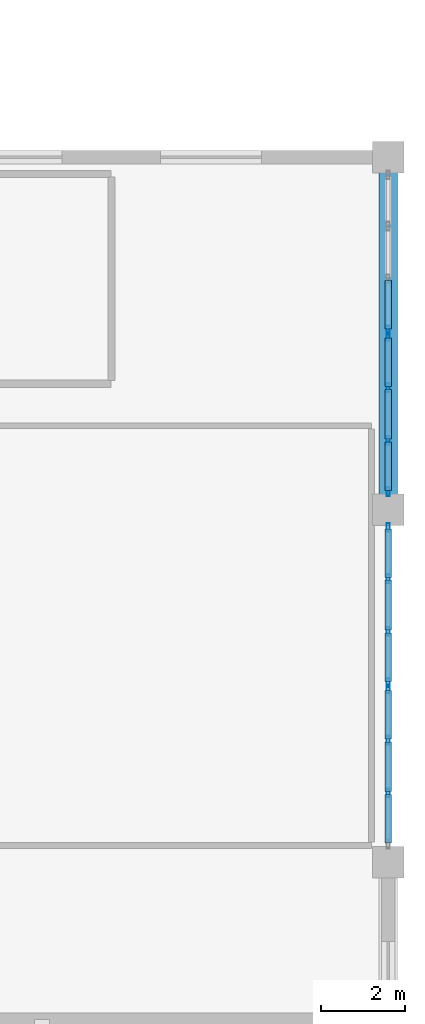
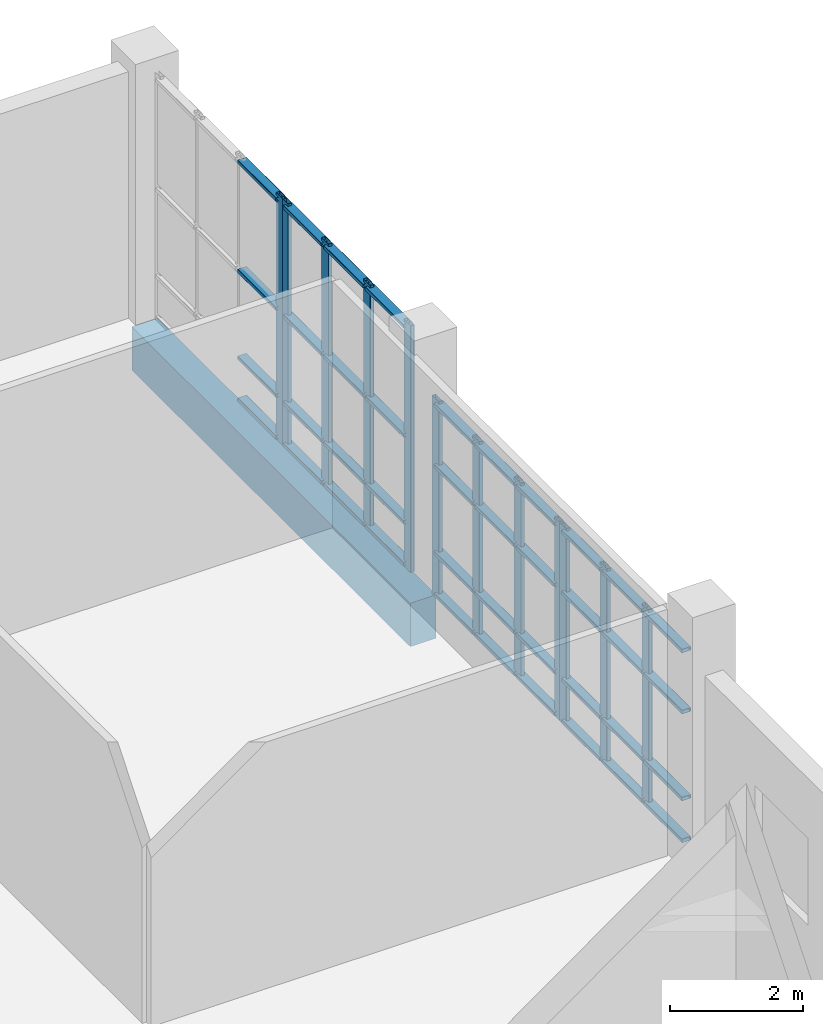
# One storey, part 52 of 106: 52 members, 1 beam, 4 elements without a shape of their own.
"""IFC4 building model written with IfcOpenShell, lengths in metres."""

from ifc_helpers import new_model, si_unit, direction, frame, origin, origin_2d, place, context, subcontext, project, spatial, rectangle, hollow_rectangle, extrude, material, layer, layer_set, material_profile, profile_set, type_object, element, aggregate, save


model = new_model("IFC4")

# Units and contexts
model_context = context("Model", 3, precision=1e-05, world=origin(), true_north=direction((0.0, 1.0)))
body_context = subcontext(model_context, "Body", "Model", "MODEL_VIEW")
ifc_project = project(units=[si_unit("LENGTHUNIT", "METRE"), si_unit("AREAUNIT", "SQUARE_METRE"), si_unit("VOLUMEUNIT", "CUBIC_METRE"), si_unit("PLANEANGLEUNIT", "RADIAN"), si_unit("MASSUNIT", "GRAM", prefix="KILO")], contexts=[model_context])

# Site, building, storey
site_placement = place(None, origin())
site = spatial("IfcSite", under=ifc_project, at=site_placement, CompositionType="ELEMENT")
building_placement = place(site_placement, origin())
building = spatial("IfcBuilding", under=site, at=building_placement, Name="Kisaragi Civic Commons", CompositionType="ELEMENT")
storey_placement = place(building_placement, frame((0.0, 0.0, 4.800048828125)))
storey = spatial("IfcBuildingStorey", under=building, at=storey_placement, Name="L01", CompositionType="ELEMENT", Elevation=4.800048828125)

# Curtain wall, member
ifc_material_1 = material(Name="Thermally broken anodized aluminium and low-E double glazing", Category="aluminium")
ifc_layer = layer(ifc_material_1, 0.2099609375, Name="Thermally broken anodized aluminium and low-E double glazing", Category="aluminium")
ifc_layer_set = layer_set([ifc_layer], Name="Thermally broken anodized aluminium and low-E double glazing")
curtain_wall_type = type_object("IfcCurtainWallType", Name="CW-02", PredefinedType="NOTDEFINED", material=ifc_layer_set)
curtain_wall_1_placement = place(storey_placement, origin())
curtain_wall_1 = element("IfcCurtainWall", 1, at=curtain_wall_1_placement, inside=storey, type_object=curtain_wall_type, Name="L01 curtain wall CW-02 CW-V3-L01-023", PredefinedType="NOTDEFINED")
ifc_material_profile_1 = material_profile(ifc_material_1, hollow_rectangle(XDim=0.070068359375, YDim=0.2099609375, WallThickness=0.0048828125, InnerFilletRadius=0.0048828125, OuterFilletRadius=0.010009765625, at=origin_2d()), Name="CWM-70x210x5", Category="aluminium")
ifc_profile_set_1 = profile_set([ifc_material_profile_1], Name="Thermally broken anodized aluminium and low-E double glazing")
member_type_1 = type_object("IfcMemberType", Name="CWM-03", PredefinedType="MULLION", material=ifc_profile_set_1)
member_1_placement = place(storey_placement, frame((172.800048828125, 21.074951171875, 0.0), z_axis=(0.0, 0.0, 1.0), x_axis=(1.0, 0.0, 0.0)))
member_1 = element("IfcMember", 2, at=member_1_placement, type_object=member_type_1, Name="CW-02 mullion 4", PredefinedType="MULLION", context=body_context, shape_type="SweptSolid", body=[
    extrude(hollow_rectangle(XDim=0.070068359375, YDim=0.2099609375, WallThickness=0.0048828125, InnerFilletRadius=0.0048828125, OuterFilletRadius=0.010009765625, at=origin_2d()), origin(), (0.0, 0.0, 1.0), 4.5400390625),
])

# Curtain wall, members
curtain_wall_2_placement = place(storey_placement, origin())
curtain_wall_2 = element("IfcCurtainWall", 3, at=curtain_wall_2_placement, inside=storey, type_object=curtain_wall_type, Name="L01 curtain wall CW-02 CW-V3-L01-024", PredefinedType="NOTDEFINED")
member_2_placement = place(storey_placement, frame((172.800048828125, 20.925048828125, 0.0), z_axis=(0.0, 0.0, 1.0), x_axis=(1.0, 0.0, 0.0)))
member_2 = element("IfcMember", 4, at=member_2_placement, type_object=member_type_1, Name="CW-02 mullion 1", PredefinedType="MULLION", context=body_context, shape_type="SweptSolid", body=[
    extrude(hollow_rectangle(XDim=0.070068359375, YDim=0.2099609375, WallThickness=0.0048828125, InnerFilletRadius=0.0048828125, OuterFilletRadius=0.010009765625, at=origin_2d()), origin(), (0.0, 0.0, 1.0), 4.5400390625),
])
member_3_placement = place(storey_placement, frame((172.800048828125, 19.703369140625, 0.0), z_axis=(0.0, 0.0, 1.0), x_axis=(1.0, 0.0, 0.0)))
member_3 = element("IfcMember", 5, at=member_3_placement, type_object=member_type_1, Name="CW-02 mullion 2", PredefinedType="MULLION", context=body_context, shape_type="SweptSolid", body=[
    extrude(hollow_rectangle(XDim=0.070068359375, YDim=0.2099609375, WallThickness=0.0048828125, InnerFilletRadius=0.0048828125, OuterFilletRadius=0.010009765625, at=origin_2d()), origin(), (0.0, 0.0, 1.0), 4.5400390625),
])
member_4_placement = place(storey_placement, frame((172.800048828125, 18.44677734375, 0.0), z_axis=(0.0, 0.0, 1.0), x_axis=(1.0, 0.0, 0.0)))
member_4 = element("IfcMember", 6, at=member_4_placement, type_object=member_type_1, Name="CW-02 mullion 3", PredefinedType="MULLION", context=body_context, shape_type="SweptSolid", body=[
    extrude(hollow_rectangle(XDim=0.070068359375, YDim=0.2099609375, WallThickness=0.0048828125, InnerFilletRadius=0.0048828125, OuterFilletRadius=0.010009765625, at=origin_2d()), origin(), (0.0, 0.0, 1.0), 4.5400390625),
])
member_5_placement = place(storey_placement, frame((172.800048828125, 17.22509765625, 0.0), z_axis=(0.0, 0.0, 1.0), x_axis=(1.0, 0.0, 0.0)))
member_5 = element("IfcMember", 7, at=member_5_placement, type_object=member_type_1, Name="CW-02 mullion 4", PredefinedType="MULLION", context=body_context, shape_type="SweptSolid", body=[
    extrude(hollow_rectangle(XDim=0.070068359375, YDim=0.2099609375, WallThickness=0.0048828125, InnerFilletRadius=0.0048828125, OuterFilletRadius=0.010009765625, at=origin_2d()), origin(), (0.0, 0.0, 1.0), 4.5400390625),
])

curtain_wall_3_placement = place(storey_placement, origin())
curtain_wall_3 = element("IfcCurtainWall", 8, at=curtain_wall_3_placement, inside=storey, type_object=curtain_wall_type, Name="L01 curtain wall CW-02 CW-V3-L01-025", PredefinedType="NOTDEFINED")
member_6_placement = place(storey_placement, frame((172.800048828125, 16.375, 0.0), z_axis=(0.0, 0.0, 1.0), x_axis=(1.0, 0.0, 0.0)))
member_6 = element("IfcMember", 9, at=member_6_placement, type_object=member_type_1, Name="CW-02 mullion 1", PredefinedType="MULLION", context=body_context, shape_type="SweptSolid", body=[
    extrude(hollow_rectangle(XDim=0.070068359375, YDim=0.2099609375, WallThickness=0.0048828125, InnerFilletRadius=0.0048828125, OuterFilletRadius=0.010009765625, at=origin_2d()), origin(), (0.0, 0.0, 1.0), 3.655029296875),
])
member_7_placement = place(storey_placement, frame((172.800048828125, 15.1533203125, 0.0), z_axis=(0.0, 0.0, 1.0), x_axis=(1.0, 0.0, 0.0)))
member_7 = element("IfcMember", 10, at=member_7_placement, type_object=member_type_1, Name="CW-02 mullion 2", PredefinedType="MULLION", context=body_context, shape_type="SweptSolid", body=[
    extrude(hollow_rectangle(XDim=0.070068359375, YDim=0.2099609375, WallThickness=0.0048828125, InnerFilletRadius=0.0048828125, OuterFilletRadius=0.010009765625, at=origin_2d()), origin(), (0.0, 0.0, 1.0), 3.655029296875),
])
member_8_placement = place(storey_placement, frame((172.800048828125, 13.896728515625, 0.0), z_axis=(0.0, 0.0, 1.0), x_axis=(1.0, 0.0, 0.0)))
member_8 = element("IfcMember", 11, at=member_8_placement, type_object=member_type_1, Name="CW-02 mullion 3", PredefinedType="MULLION", context=body_context, shape_type="SweptSolid", body=[
    extrude(hollow_rectangle(XDim=0.070068359375, YDim=0.2099609375, WallThickness=0.0048828125, InnerFilletRadius=0.0048828125, OuterFilletRadius=0.010009765625, at=origin_2d()), origin(), (0.0, 0.0, 1.0), 3.655029296875),
])
member_9_placement = place(storey_placement, frame((172.800048828125, 12.675048828125, 0.0), z_axis=(0.0, 0.0, 1.0), x_axis=(1.0, 0.0, 0.0)))
member_9 = element("IfcMember", 12, at=member_9_placement, type_object=member_type_1, Name="CW-02 mullion 4", PredefinedType="MULLION", context=body_context, shape_type="SweptSolid", body=[
    extrude(hollow_rectangle(XDim=0.070068359375, YDim=0.2099609375, WallThickness=0.0048828125, InnerFilletRadius=0.0048828125, OuterFilletRadius=0.010009765625, at=origin_2d()), origin(), (0.0, 0.0, 1.0), 3.655029296875),
])

curtain_wall_4_placement = place(storey_placement, origin())
curtain_wall_4 = element("IfcCurtainWall", 13, at=curtain_wall_4_placement, inside=storey, type_object=curtain_wall_type, Name="L01 curtain wall CW-02 CW-V3-L01-026", PredefinedType="NOTDEFINED")
member_10_placement = place(storey_placement, frame((172.800048828125, 12.52490234375, 0.0), z_axis=(0.0, 0.0, 1.0), x_axis=(1.0, 0.0, 0.0)))
member_10 = element("IfcMember", 14, at=member_10_placement, type_object=member_type_1, Name="CW-02 mullion 1", PredefinedType="MULLION", context=body_context, shape_type="SweptSolid", body=[
    extrude(hollow_rectangle(XDim=0.070068359375, YDim=0.2099609375, WallThickness=0.0048828125, InnerFilletRadius=0.0048828125, OuterFilletRadius=0.010009765625, at=origin_2d()), origin(), (0.0, 0.0, 1.0), 3.655029296875),
])
member_11_placement = place(storey_placement, frame((172.800048828125, 11.30322265625, 0.0), z_axis=(0.0, 0.0, 1.0), x_axis=(1.0, 0.0, 0.0)))
member_11 = element("IfcMember", 15, at=member_11_placement, type_object=member_type_1, Name="CW-02 mullion 2", PredefinedType="MULLION", context=body_context, shape_type="SweptSolid", body=[
    extrude(hollow_rectangle(XDim=0.070068359375, YDim=0.2099609375, WallThickness=0.0048828125, InnerFilletRadius=0.0048828125, OuterFilletRadius=0.010009765625, at=origin_2d()), origin(), (0.0, 0.0, 1.0), 3.655029296875),
])
member_12_placement = place(storey_placement, frame((172.800048828125, 10.046630859375, 0.0), z_axis=(0.0, 0.0, 1.0), x_axis=(1.0, 0.0, 0.0)))
member_12 = element("IfcMember", 16, at=member_12_placement, type_object=member_type_1, Name="CW-02 mullion 3", PredefinedType="MULLION", context=body_context, shape_type="SweptSolid", body=[
    extrude(hollow_rectangle(XDim=0.070068359375, YDim=0.2099609375, WallThickness=0.0048828125, InnerFilletRadius=0.0048828125, OuterFilletRadius=0.010009765625, at=origin_2d()), origin(), (0.0, 0.0, 1.0), 3.655029296875),
])

# Member
ifc_material_profile_2 = material_profile(ifc_material_1, hollow_rectangle(XDim=0.159912109375, YDim=0.070068359375, WallThickness=0.0048828125, InnerFilletRadius=0.0048828125, OuterFilletRadius=0.010009765625, at=origin_2d()), Name="CWT-70x160x5", Category="aluminium")
ifc_profile_set_2 = profile_set([ifc_material_profile_2], Name="Thermally broken anodized aluminium and low-E double glazing")
member_type_2 = type_object("IfcMemberType", Name="CWT-03", PredefinedType="USERDEFINED", material=ifc_profile_set_2)
member_13_placement = place(storey_placement, frame((172.800048828125, 22.26171875, 0.079833984375), z_axis=(0.0, -1.0, 0.0), x_axis=(1.0, 0.0, 0.0)))
member_13 = element("IfcMember", 17, at=member_13_placement, type_object=member_type_2, Name="CW-02 transom 3.1", ObjectType="TRANSOM", PredefinedType="USERDEFINED", context=body_context, shape_type="SweptSolid", body=[
    extrude(hollow_rectangle(XDim=0.159912109375, YDim=0.070068359375, WallThickness=0.0048828125, InnerFilletRadius=0.0048828125, OuterFilletRadius=0.010009765625, at=origin_2d()), origin(), (0.0, 0.0, 1.0), 1.151611328125),
])

member_14_placement = place(storey_placement, frame((172.800048828125, 22.26171875, 0.849853515625), z_axis=(0.0, -1.0, 0.0), x_axis=(1.0, 0.0, 0.0)))
member_14 = element("IfcMember", 18, at=member_14_placement, type_object=member_type_2, Name="CW-02 transom 3.2", ObjectType="TRANSOM", PredefinedType="USERDEFINED", context=body_context, shape_type="SweptSolid", body=[
    extrude(hollow_rectangle(XDim=0.159912109375, YDim=0.070068359375, WallThickness=0.0048828125, InnerFilletRadius=0.0048828125, OuterFilletRadius=0.010009765625, at=origin_2d()), origin(), (0.0, 0.0, 1.0), 1.151611328125),
])

member_15_placement = place(storey_placement, frame((172.800048828125, 22.26171875, 2.449951171875), z_axis=(0.0, -1.0, 0.0), x_axis=(1.0, 0.0, 0.0)))
member_15 = element("IfcMember", 19, at=member_15_placement, type_object=member_type_2, Name="CW-02 transom 3.3", ObjectType="TRANSOM", PredefinedType="USERDEFINED", context=body_context, shape_type="SweptSolid", body=[
    extrude(hollow_rectangle(XDim=0.159912109375, YDim=0.070068359375, WallThickness=0.0048828125, InnerFilletRadius=0.0048828125, OuterFilletRadius=0.010009765625, at=origin_2d()), origin(), (0.0, 0.0, 1.0), 1.151611328125),
])

member_16_placement = place(storey_placement, frame((172.800048828125, 22.26171875, 4.4599609375), z_axis=(0.0, -1.0, 0.0), x_axis=(1.0, 0.0, 0.0)))
member_16 = element("IfcMember", 20, at=member_16_placement, type_object=member_type_2, Name="CW-02 transom 3.4", ObjectType="TRANSOM", PredefinedType="USERDEFINED", context=body_context, shape_type="SweptSolid", body=[
    extrude(hollow_rectangle(XDim=0.159912109375, YDim=0.070068359375, WallThickness=0.0048828125, InnerFilletRadius=0.0048828125, OuterFilletRadius=0.010009765625, at=origin_2d()), origin(), (0.0, 0.0, 1.0), 1.151611328125),
])

aggregate(curtain_wall_1, [member_1, member_13, member_14, member_15, member_16])

member_17_placement = place(storey_placement, frame((172.800048828125, 20.889892578125, 0.079833984375), z_axis=(0.0, -1.0, 0.0), x_axis=(1.0, 0.0, 0.0)))
member_17 = element("IfcMember", 21, at=member_17_placement, type_object=member_type_2, Name="CW-02 transom 1.1", ObjectType="TRANSOM", PredefinedType="USERDEFINED", context=body_context, shape_type="SweptSolid", body=[
    extrude(hollow_rectangle(XDim=0.159912109375, YDim=0.070068359375, WallThickness=0.0048828125, InnerFilletRadius=0.0048828125, OuterFilletRadius=0.010009765625, at=origin_2d()), origin(), (0.0, 0.0, 1.0), 1.151611328125),
])

member_18_placement = place(storey_placement, frame((172.800048828125, 20.889892578125, 0.849853515625), z_axis=(0.0, -1.0, 0.0), x_axis=(1.0, 0.0, 0.0)))
member_18 = element("IfcMember", 22, at=member_18_placement, type_object=member_type_2, Name="CW-02 transom 1.2", ObjectType="TRANSOM", PredefinedType="USERDEFINED", context=body_context, shape_type="SweptSolid", body=[
    extrude(hollow_rectangle(XDim=0.159912109375, YDim=0.070068359375, WallThickness=0.0048828125, InnerFilletRadius=0.0048828125, OuterFilletRadius=0.010009765625, at=origin_2d()), origin(), (0.0, 0.0, 1.0), 1.151611328125),
])

member_19_placement = place(storey_placement, frame((172.800048828125, 20.889892578125, 2.449951171875), z_axis=(0.0, -1.0, 0.0), x_axis=(1.0, 0.0, 0.0)))
member_19 = element("IfcMember", 23, at=member_19_placement, type_object=member_type_2, Name="CW-02 transom 1.3", ObjectType="TRANSOM", PredefinedType="USERDEFINED", context=body_context, shape_type="SweptSolid", body=[
    extrude(hollow_rectangle(XDim=0.159912109375, YDim=0.070068359375, WallThickness=0.0048828125, InnerFilletRadius=0.0048828125, OuterFilletRadius=0.010009765625, at=origin_2d()), origin(), (0.0, 0.0, 1.0), 1.151611328125),
])

member_20_placement = place(storey_placement, frame((172.800048828125, 20.889892578125, 4.4599609375), z_axis=(0.0, -1.0, 0.0), x_axis=(1.0, 0.0, 0.0)))
member_20 = element("IfcMember", 24, at=member_20_placement, type_object=member_type_2, Name="CW-02 transom 1.4", ObjectType="TRANSOM", PredefinedType="USERDEFINED", context=body_context, shape_type="SweptSolid", body=[
    extrude(hollow_rectangle(XDim=0.159912109375, YDim=0.070068359375, WallThickness=0.0048828125, InnerFilletRadius=0.0048828125, OuterFilletRadius=0.010009765625, at=origin_2d()), origin(), (0.0, 0.0, 1.0), 1.151611328125),
])

member_21_placement = place(storey_placement, frame((172.800048828125, 19.668212890625, 0.079833984375), z_axis=(0.0, -1.0, 0.0), x_axis=(1.0, 0.0, 0.0)))
member_21 = element("IfcMember", 25, at=member_21_placement, type_object=member_type_2, Name="CW-02 transom 2.1", ObjectType="TRANSOM", PredefinedType="USERDEFINED", context=body_context, shape_type="SweptSolid", body=[
    extrude(hollow_rectangle(XDim=0.159912109375, YDim=0.070068359375, WallThickness=0.0048828125, InnerFilletRadius=0.0048828125, OuterFilletRadius=0.010009765625, at=origin_2d()), origin(), (0.0, 0.0, 1.0), 1.1865234375),
])

member_22_placement = place(storey_placement, frame((172.800048828125, 19.668212890625, 0.849853515625), z_axis=(0.0, -1.0, 0.0), x_axis=(1.0, 0.0, 0.0)))
member_22 = element("IfcMember", 26, at=member_22_placement, type_object=member_type_2, Name="CW-02 transom 2.2", ObjectType="TRANSOM", PredefinedType="USERDEFINED", context=body_context, shape_type="SweptSolid", body=[
    extrude(hollow_rectangle(XDim=0.159912109375, YDim=0.070068359375, WallThickness=0.0048828125, InnerFilletRadius=0.0048828125, OuterFilletRadius=0.010009765625, at=origin_2d()), origin(), (0.0, 0.0, 1.0), 1.1865234375),
])

member_23_placement = place(storey_placement, frame((172.800048828125, 19.668212890625, 2.449951171875), z_axis=(0.0, -1.0, 0.0), x_axis=(1.0, 0.0, 0.0)))
member_23 = element("IfcMember", 27, at=member_23_placement, type_object=member_type_2, Name="CW-02 transom 2.3", ObjectType="TRANSOM", PredefinedType="USERDEFINED", context=body_context, shape_type="SweptSolid", body=[
    extrude(hollow_rectangle(XDim=0.159912109375, YDim=0.070068359375, WallThickness=0.0048828125, InnerFilletRadius=0.0048828125, OuterFilletRadius=0.010009765625, at=origin_2d()), origin(), (0.0, 0.0, 1.0), 1.1865234375),
])

member_24_placement = place(storey_placement, frame((172.800048828125, 19.668212890625, 4.4599609375), z_axis=(0.0, -1.0, 0.0), x_axis=(1.0, 0.0, 0.0)))
member_24 = element("IfcMember", 28, at=member_24_placement, type_object=member_type_2, Name="CW-02 transom 2.4", ObjectType="TRANSOM", PredefinedType="USERDEFINED", context=body_context, shape_type="SweptSolid", body=[
    extrude(hollow_rectangle(XDim=0.159912109375, YDim=0.070068359375, WallThickness=0.0048828125, InnerFilletRadius=0.0048828125, OuterFilletRadius=0.010009765625, at=origin_2d()), origin(), (0.0, 0.0, 1.0), 1.1865234375),
])

member_25_placement = place(storey_placement, frame((172.800048828125, 18.41162109375, 0.079833984375), z_axis=(0.0, -1.0, 0.0), x_axis=(1.0, 0.0, 0.0)))
member_25 = element("IfcMember", 29, at=member_25_placement, type_object=member_type_2, Name="CW-02 transom 3.1", ObjectType="TRANSOM", PredefinedType="USERDEFINED", context=body_context, shape_type="SweptSolid", body=[
    extrude(hollow_rectangle(XDim=0.159912109375, YDim=0.070068359375, WallThickness=0.0048828125, InnerFilletRadius=0.0048828125, OuterFilletRadius=0.010009765625, at=origin_2d()), origin(), (0.0, 0.0, 1.0), 1.151611328125),
])

member_26_placement = place(storey_placement, frame((172.800048828125, 18.41162109375, 0.849853515625), z_axis=(0.0, -1.0, 0.0), x_axis=(1.0, 0.0, 0.0)))
member_26 = element("IfcMember", 30, at=member_26_placement, type_object=member_type_2, Name="CW-02 transom 3.2", ObjectType="TRANSOM", PredefinedType="USERDEFINED", context=body_context, shape_type="SweptSolid", body=[
    extrude(hollow_rectangle(XDim=0.159912109375, YDim=0.070068359375, WallThickness=0.0048828125, InnerFilletRadius=0.0048828125, OuterFilletRadius=0.010009765625, at=origin_2d()), origin(), (0.0, 0.0, 1.0), 1.151611328125),
])

member_27_placement = place(storey_placement, frame((172.800048828125, 18.41162109375, 2.449951171875), z_axis=(0.0, -1.0, 0.0), x_axis=(1.0, 0.0, 0.0)))
member_27 = element("IfcMember", 31, at=member_27_placement, type_object=member_type_2, Name="CW-02 transom 3.3", ObjectType="TRANSOM", PredefinedType="USERDEFINED", context=body_context, shape_type="SweptSolid", body=[
    extrude(hollow_rectangle(XDim=0.159912109375, YDim=0.070068359375, WallThickness=0.0048828125, InnerFilletRadius=0.0048828125, OuterFilletRadius=0.010009765625, at=origin_2d()), origin(), (0.0, 0.0, 1.0), 1.151611328125),
])

member_28_placement = place(storey_placement, frame((172.800048828125, 18.41162109375, 4.4599609375), z_axis=(0.0, -1.0, 0.0), x_axis=(1.0, 0.0, 0.0)))
member_28 = element("IfcMember", 32, at=member_28_placement, type_object=member_type_2, Name="CW-02 transom 3.4", ObjectType="TRANSOM", PredefinedType="USERDEFINED", context=body_context, shape_type="SweptSolid", body=[
    extrude(hollow_rectangle(XDim=0.159912109375, YDim=0.070068359375, WallThickness=0.0048828125, InnerFilletRadius=0.0048828125, OuterFilletRadius=0.010009765625, at=origin_2d()), origin(), (0.0, 0.0, 1.0), 1.151611328125),
])

aggregate(curtain_wall_2, [member_2, member_3, member_4, member_5, member_17, member_18, member_19, member_20, member_21, member_22, member_23, member_24, member_25, member_26, member_27, member_28])

member_29_placement = place(storey_placement, frame((172.800048828125, 16.340087890625, 0.079833984375), z_axis=(0.0, -1.0, 0.0), x_axis=(1.0, 0.0, 0.0)))
member_29 = element("IfcMember", 33, at=member_29_placement, type_object=member_type_2, Name="CW-02 transom 1.1", ObjectType="TRANSOM", PredefinedType="USERDEFINED", context=body_context, shape_type="SweptSolid", body=[
    extrude(hollow_rectangle(XDim=0.159912109375, YDim=0.070068359375, WallThickness=0.0048828125, InnerFilletRadius=0.0048828125, OuterFilletRadius=0.010009765625, at=origin_2d()), origin(), (0.0, 0.0, 1.0), 1.15185546875),
])

member_30_placement = place(storey_placement, frame((172.800048828125, 16.340087890625, 0.849853515625), z_axis=(0.0, -1.0, 0.0), x_axis=(1.0, 0.0, 0.0)))
member_30 = element("IfcMember", 34, at=member_30_placement, type_object=member_type_2, Name="CW-02 transom 1.2", ObjectType="TRANSOM", PredefinedType="USERDEFINED", context=body_context, shape_type="SweptSolid", body=[
    extrude(hollow_rectangle(XDim=0.159912109375, YDim=0.070068359375, WallThickness=0.0048828125, InnerFilletRadius=0.0048828125, OuterFilletRadius=0.010009765625, at=origin_2d()), origin(), (0.0, 0.0, 1.0), 1.15185546875),
])

member_31_placement = place(storey_placement, frame((172.800048828125, 16.340087890625, 2.449951171875), z_axis=(0.0, -1.0, 0.0), x_axis=(1.0, 0.0, 0.0)))
member_31 = element("IfcMember", 35, at=member_31_placement, type_object=member_type_2, Name="CW-02 transom 1.3", ObjectType="TRANSOM", PredefinedType="USERDEFINED", context=body_context, shape_type="SweptSolid", body=[
    extrude(hollow_rectangle(XDim=0.159912109375, YDim=0.070068359375, WallThickness=0.0048828125, InnerFilletRadius=0.0048828125, OuterFilletRadius=0.010009765625, at=origin_2d()), origin(), (0.0, 0.0, 1.0), 1.15185546875),
])

member_32_placement = place(storey_placement, frame((172.800048828125, 16.340087890625, 3.574951171875), z_axis=(0.0, -1.0, 0.0), x_axis=(1.0, 0.0, 0.0)))
member_32 = element("IfcMember", 36, at=member_32_placement, type_object=member_type_2, Name="CW-02 transom 1.4", ObjectType="TRANSOM", PredefinedType="USERDEFINED", context=body_context, shape_type="SweptSolid", body=[
    extrude(hollow_rectangle(XDim=0.159912109375, YDim=0.070068359375, WallThickness=0.0048828125, InnerFilletRadius=0.0048828125, OuterFilletRadius=0.010009765625, at=origin_2d()), origin(), (0.0, 0.0, 1.0), 1.15185546875),
])

member_33_placement = place(storey_placement, frame((172.800048828125, 15.118408203125, 0.079833984375), z_axis=(0.0, -1.0, 0.0), x_axis=(1.0, 0.0, 0.0)))
member_33 = element("IfcMember", 37, at=member_33_placement, type_object=member_type_2, Name="CW-02 transom 2.1", ObjectType="TRANSOM", PredefinedType="USERDEFINED", context=body_context, shape_type="SweptSolid", body=[
    extrude(hollow_rectangle(XDim=0.159912109375, YDim=0.070068359375, WallThickness=0.0048828125, InnerFilletRadius=0.0048828125, OuterFilletRadius=0.010009765625, at=origin_2d()), origin(), (0.0, 0.0, 1.0), 1.186767578125),
])

member_34_placement = place(storey_placement, frame((172.800048828125, 15.118408203125, 0.849853515625), z_axis=(0.0, -1.0, 0.0), x_axis=(1.0, 0.0, 0.0)))
member_34 = element("IfcMember", 38, at=member_34_placement, type_object=member_type_2, Name="CW-02 transom 2.2", ObjectType="TRANSOM", PredefinedType="USERDEFINED", context=body_context, shape_type="SweptSolid", body=[
    extrude(hollow_rectangle(XDim=0.159912109375, YDim=0.070068359375, WallThickness=0.0048828125, InnerFilletRadius=0.0048828125, OuterFilletRadius=0.010009765625, at=origin_2d()), origin(), (0.0, 0.0, 1.0), 1.186767578125),
])

member_35_placement = place(storey_placement, frame((172.800048828125, 15.118408203125, 2.449951171875), z_axis=(0.0, -1.0, 0.0), x_axis=(1.0, 0.0, 0.0)))
member_35 = element("IfcMember", 39, at=member_35_placement, type_object=member_type_2, Name="CW-02 transom 2.3", ObjectType="TRANSOM", PredefinedType="USERDEFINED", context=body_context, shape_type="SweptSolid", body=[
    extrude(hollow_rectangle(XDim=0.159912109375, YDim=0.070068359375, WallThickness=0.0048828125, InnerFilletRadius=0.0048828125, OuterFilletRadius=0.010009765625, at=origin_2d()), origin(), (0.0, 0.0, 1.0), 1.186767578125),
])

member_36_placement = place(storey_placement, frame((172.800048828125, 15.118408203125, 3.574951171875), z_axis=(0.0, -1.0, 0.0), x_axis=(1.0, 0.0, 0.0)))
member_36 = element("IfcMember", 40, at=member_36_placement, type_object=member_type_2, Name="CW-02 transom 2.4", ObjectType="TRANSOM", PredefinedType="USERDEFINED", context=body_context, shape_type="SweptSolid", body=[
    extrude(hollow_rectangle(XDim=0.159912109375, YDim=0.070068359375, WallThickness=0.0048828125, InnerFilletRadius=0.0048828125, OuterFilletRadius=0.010009765625, at=origin_2d()), origin(), (0.0, 0.0, 1.0), 1.186767578125),
])

member_37_placement = place(storey_placement, frame((172.800048828125, 13.861572265625, 0.079833984375), z_axis=(0.0, -1.0, 0.0), x_axis=(1.0, 0.0, 0.0)))
member_37 = element("IfcMember", 41, at=member_37_placement, type_object=member_type_2, Name="CW-02 transom 3.1", ObjectType="TRANSOM", PredefinedType="USERDEFINED", context=body_context, shape_type="SweptSolid", body=[
    extrude(hollow_rectangle(XDim=0.159912109375, YDim=0.070068359375, WallThickness=0.0048828125, InnerFilletRadius=0.0048828125, OuterFilletRadius=0.010009765625, at=origin_2d()), origin(), (0.0, 0.0, 1.0), 1.151611328125),
])

member_38_placement = place(storey_placement, frame((172.800048828125, 13.861572265625, 0.849853515625), z_axis=(0.0, -1.0, 0.0), x_axis=(1.0, 0.0, 0.0)))
member_38 = element("IfcMember", 42, at=member_38_placement, type_object=member_type_2, Name="CW-02 transom 3.2", ObjectType="TRANSOM", PredefinedType="USERDEFINED", context=body_context, shape_type="SweptSolid", body=[
    extrude(hollow_rectangle(XDim=0.159912109375, YDim=0.070068359375, WallThickness=0.0048828125, InnerFilletRadius=0.0048828125, OuterFilletRadius=0.010009765625, at=origin_2d()), origin(), (0.0, 0.0, 1.0), 1.151611328125),
])

member_39_placement = place(storey_placement, frame((172.800048828125, 13.861572265625, 2.449951171875), z_axis=(0.0, -1.0, 0.0), x_axis=(1.0, 0.0, 0.0)))
member_39 = element("IfcMember", 43, at=member_39_placement, type_object=member_type_2, Name="CW-02 transom 3.3", ObjectType="TRANSOM", PredefinedType="USERDEFINED", context=body_context, shape_type="SweptSolid", body=[
    extrude(hollow_rectangle(XDim=0.159912109375, YDim=0.070068359375, WallThickness=0.0048828125, InnerFilletRadius=0.0048828125, OuterFilletRadius=0.010009765625, at=origin_2d()), origin(), (0.0, 0.0, 1.0), 1.151611328125),
])

member_40_placement = place(storey_placement, frame((172.800048828125, 13.861572265625, 3.574951171875), z_axis=(0.0, -1.0, 0.0), x_axis=(1.0, 0.0, 0.0)))
member_40 = element("IfcMember", 44, at=member_40_placement, type_object=member_type_2, Name="CW-02 transom 3.4", ObjectType="TRANSOM", PredefinedType="USERDEFINED", context=body_context, shape_type="SweptSolid", body=[
    extrude(hollow_rectangle(XDim=0.159912109375, YDim=0.070068359375, WallThickness=0.0048828125, InnerFilletRadius=0.0048828125, OuterFilletRadius=0.010009765625, at=origin_2d()), origin(), (0.0, 0.0, 1.0), 1.151611328125),
])

aggregate(curtain_wall_3, [member_6, member_7, member_8, member_9, member_29, member_30, member_31, member_32, member_33, member_34, member_35, member_36, member_37, member_38, member_39, member_40])

member_41_placement = place(storey_placement, frame((172.800048828125, 12.489990234375, 0.079833984375), z_axis=(0.0, -1.0, 0.0), x_axis=(1.0, 0.0, 0.0)))
member_41 = element("IfcMember", 45, at=member_41_placement, type_object=member_type_2, Name="CW-02 transom 1.1", ObjectType="TRANSOM", PredefinedType="USERDEFINED", context=body_context, shape_type="SweptSolid", body=[
    extrude(hollow_rectangle(XDim=0.159912109375, YDim=0.070068359375, WallThickness=0.0048828125, InnerFilletRadius=0.0048828125, OuterFilletRadius=0.010009765625, at=origin_2d()), origin(), (0.0, 0.0, 1.0), 1.151611328125),
])

member_42_placement = place(storey_placement, frame((172.800048828125, 12.489990234375, 0.849853515625), z_axis=(0.0, -1.0, 0.0), x_axis=(1.0, 0.0, 0.0)))
member_42 = element("IfcMember", 46, at=member_42_placement, type_object=member_type_2, Name="CW-02 transom 1.2", ObjectType="TRANSOM", PredefinedType="USERDEFINED", context=body_context, shape_type="SweptSolid", body=[
    extrude(hollow_rectangle(XDim=0.159912109375, YDim=0.070068359375, WallThickness=0.0048828125, InnerFilletRadius=0.0048828125, OuterFilletRadius=0.010009765625, at=origin_2d()), origin(), (0.0, 0.0, 1.0), 1.151611328125),
])

member_43_placement = place(storey_placement, frame((172.800048828125, 12.489990234375, 2.449951171875), z_axis=(0.0, -1.0, 0.0), x_axis=(1.0, 0.0, 0.0)))
member_43 = element("IfcMember", 47, at=member_43_placement, type_object=member_type_2, Name="CW-02 transom 1.3", ObjectType="TRANSOM", PredefinedType="USERDEFINED", context=body_context, shape_type="SweptSolid", body=[
    extrude(hollow_rectangle(XDim=0.159912109375, YDim=0.070068359375, WallThickness=0.0048828125, InnerFilletRadius=0.0048828125, OuterFilletRadius=0.010009765625, at=origin_2d()), origin(), (0.0, 0.0, 1.0), 1.151611328125),
])

member_44_placement = place(storey_placement, frame((172.800048828125, 12.489990234375, 3.574951171875), z_axis=(0.0, -1.0, 0.0), x_axis=(1.0, 0.0, 0.0)))
member_44 = element("IfcMember", 48, at=member_44_placement, type_object=member_type_2, Name="CW-02 transom 1.4", ObjectType="TRANSOM", PredefinedType="USERDEFINED", context=body_context, shape_type="SweptSolid", body=[
    extrude(hollow_rectangle(XDim=0.159912109375, YDim=0.070068359375, WallThickness=0.0048828125, InnerFilletRadius=0.0048828125, OuterFilletRadius=0.010009765625, at=origin_2d()), origin(), (0.0, 0.0, 1.0), 1.151611328125),
])

member_45_placement = place(storey_placement, frame((172.800048828125, 11.268310546875, 0.079833984375), z_axis=(0.0, -1.0, 0.0), x_axis=(1.0, 0.0, 0.0)))
member_45 = element("IfcMember", 49, at=member_45_placement, type_object=member_type_2, Name="CW-02 transom 2.1", ObjectType="TRANSOM", PredefinedType="USERDEFINED", context=body_context, shape_type="SweptSolid", body=[
    extrude(hollow_rectangle(XDim=0.159912109375, YDim=0.070068359375, WallThickness=0.0048828125, InnerFilletRadius=0.0048828125, OuterFilletRadius=0.010009765625, at=origin_2d()), origin(), (0.0, 0.0, 1.0), 1.1865234375),
])

member_46_placement = place(storey_placement, frame((172.800048828125, 11.268310546875, 0.849853515625), z_axis=(0.0, -1.0, 0.0), x_axis=(1.0, 0.0, 0.0)))
member_46 = element("IfcMember", 50, at=member_46_placement, type_object=member_type_2, Name="CW-02 transom 2.2", ObjectType="TRANSOM", PredefinedType="USERDEFINED", context=body_context, shape_type="SweptSolid", body=[
    extrude(hollow_rectangle(XDim=0.159912109375, YDim=0.070068359375, WallThickness=0.0048828125, InnerFilletRadius=0.0048828125, OuterFilletRadius=0.010009765625, at=origin_2d()), origin(), (0.0, 0.0, 1.0), 1.1865234375),
])

member_47_placement = place(storey_placement, frame((172.800048828125, 11.268310546875, 2.449951171875), z_axis=(0.0, -1.0, 0.0), x_axis=(1.0, 0.0, 0.0)))
member_47 = element("IfcMember", 51, at=member_47_placement, type_object=member_type_2, Name="CW-02 transom 2.3", ObjectType="TRANSOM", PredefinedType="USERDEFINED", context=body_context, shape_type="SweptSolid", body=[
    extrude(hollow_rectangle(XDim=0.159912109375, YDim=0.070068359375, WallThickness=0.0048828125, InnerFilletRadius=0.0048828125, OuterFilletRadius=0.010009765625, at=origin_2d()), origin(), (0.0, 0.0, 1.0), 1.1865234375),
])

member_48_placement = place(storey_placement, frame((172.800048828125, 11.268310546875, 3.574951171875), z_axis=(0.0, -1.0, 0.0), x_axis=(1.0, 0.0, 0.0)))
member_48 = element("IfcMember", 52, at=member_48_placement, type_object=member_type_2, Name="CW-02 transom 2.4", ObjectType="TRANSOM", PredefinedType="USERDEFINED", context=body_context, shape_type="SweptSolid", body=[
    extrude(hollow_rectangle(XDim=0.159912109375, YDim=0.070068359375, WallThickness=0.0048828125, InnerFilletRadius=0.0048828125, OuterFilletRadius=0.010009765625, at=origin_2d()), origin(), (0.0, 0.0, 1.0), 1.1865234375),
])

member_49_placement = place(storey_placement, frame((172.800048828125, 10.01171875, 0.079833984375), z_axis=(0.0, -1.0, 0.0), x_axis=(1.0, 0.0, 0.0)))
member_49 = element("IfcMember", 53, at=member_49_placement, type_object=member_type_2, Name="CW-02 transom 3.1", ObjectType="TRANSOM", PredefinedType="USERDEFINED", context=body_context, shape_type="SweptSolid", body=[
    extrude(hollow_rectangle(XDim=0.159912109375, YDim=0.070068359375, WallThickness=0.0048828125, InnerFilletRadius=0.0048828125, OuterFilletRadius=0.010009765625, at=origin_2d()), origin(), (0.0, 0.0, 1.0), 1.151611328125),
])

member_50_placement = place(storey_placement, frame((172.800048828125, 10.01171875, 0.849853515625), z_axis=(0.0, -1.0, 0.0), x_axis=(1.0, 0.0, 0.0)))
member_50 = element("IfcMember", 54, at=member_50_placement, type_object=member_type_2, Name="CW-02 transom 3.2", ObjectType="TRANSOM", PredefinedType="USERDEFINED", context=body_context, shape_type="SweptSolid", body=[
    extrude(hollow_rectangle(XDim=0.159912109375, YDim=0.070068359375, WallThickness=0.0048828125, InnerFilletRadius=0.0048828125, OuterFilletRadius=0.010009765625, at=origin_2d()), origin(), (0.0, 0.0, 1.0), 1.151611328125),
])

member_51_placement = place(storey_placement, frame((172.800048828125, 10.01171875, 2.449951171875), z_axis=(0.0, -1.0, 0.0), x_axis=(1.0, 0.0, 0.0)))
member_51 = element("IfcMember", 55, at=member_51_placement, type_object=member_type_2, Name="CW-02 transom 3.3", ObjectType="TRANSOM", PredefinedType="USERDEFINED", context=body_context, shape_type="SweptSolid", body=[
    extrude(hollow_rectangle(XDim=0.159912109375, YDim=0.070068359375, WallThickness=0.0048828125, InnerFilletRadius=0.0048828125, OuterFilletRadius=0.010009765625, at=origin_2d()), origin(), (0.0, 0.0, 1.0), 1.151611328125),
])

member_52_placement = place(storey_placement, frame((172.800048828125, 10.01171875, 3.574951171875), z_axis=(0.0, -1.0, 0.0), x_axis=(1.0, 0.0, 0.0)))
member_52 = element("IfcMember", 56, at=member_52_placement, type_object=member_type_2, Name="CW-02 transom 3.4", ObjectType="TRANSOM", PredefinedType="USERDEFINED", context=body_context, shape_type="SweptSolid", body=[
    extrude(hollow_rectangle(XDim=0.159912109375, YDim=0.070068359375, WallThickness=0.0048828125, InnerFilletRadius=0.0048828125, OuterFilletRadius=0.010009765625, at=origin_2d()), origin(), (0.0, 0.0, 1.0), 1.151611328125),
])

aggregate(curtain_wall_4, [member_10, member_11, member_12, member_41, member_42, member_43, member_44, member_45, member_46, member_47, member_48, member_49, member_50, member_51, member_52])

# Beam
ifc_material_2 = material(Name="Concrete Fc30", Category="concrete")
ifc_material_profile_3 = material_profile(ifc_material_2, rectangle(XDim=0.449951171875, YDim=0.800048828125, at=origin_2d()), Name="RC-450x800", Category="concrete")
ifc_profile_set_3 = profile_set([ifc_material_profile_3], Name="Concrete Fc30")
beam_type = type_object("IfcBeamType", Name="SPB-01", PredefinedType="SPANDREL", material=ifc_profile_set_3)
beam_placement = place(storey_placement, frame((172.800048828125, 16.800048828125, -0.705078125), z_axis=(0.0, 1.0, 0.0), x_axis=(-1.0, 0.0, 0.0)))
element("IfcBeam", 57, at=beam_placement, inside=storey, type_object=beam_type, Name="L01 girder SPB-01 220", PredefinedType="SPANDREL", context=body_context, shape_type="SweptSolid", body=[
    extrude(rectangle(XDim=0.449951171875, YDim=0.800048828125, at=origin_2d()), origin(), (0.0, 0.0, 1.0), 8.39990234375),
])

save(model, "model.ifc")
